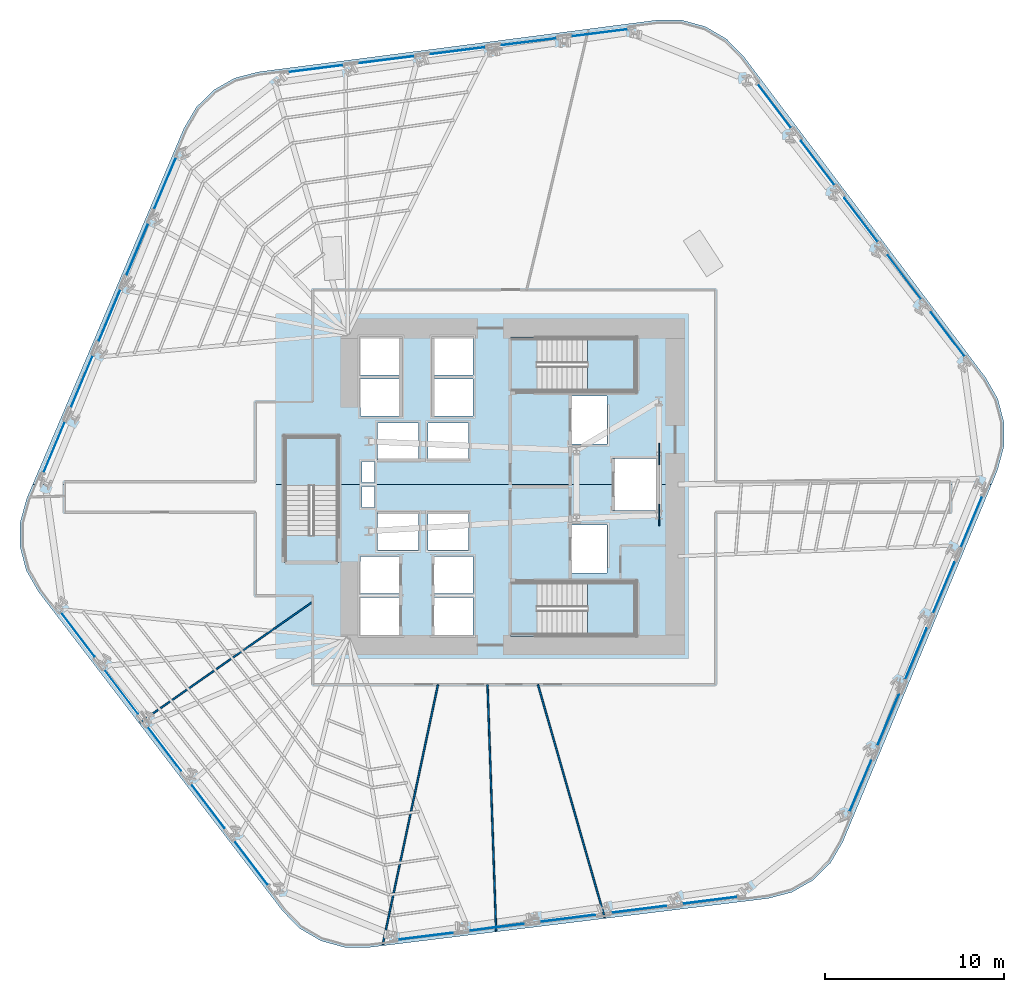
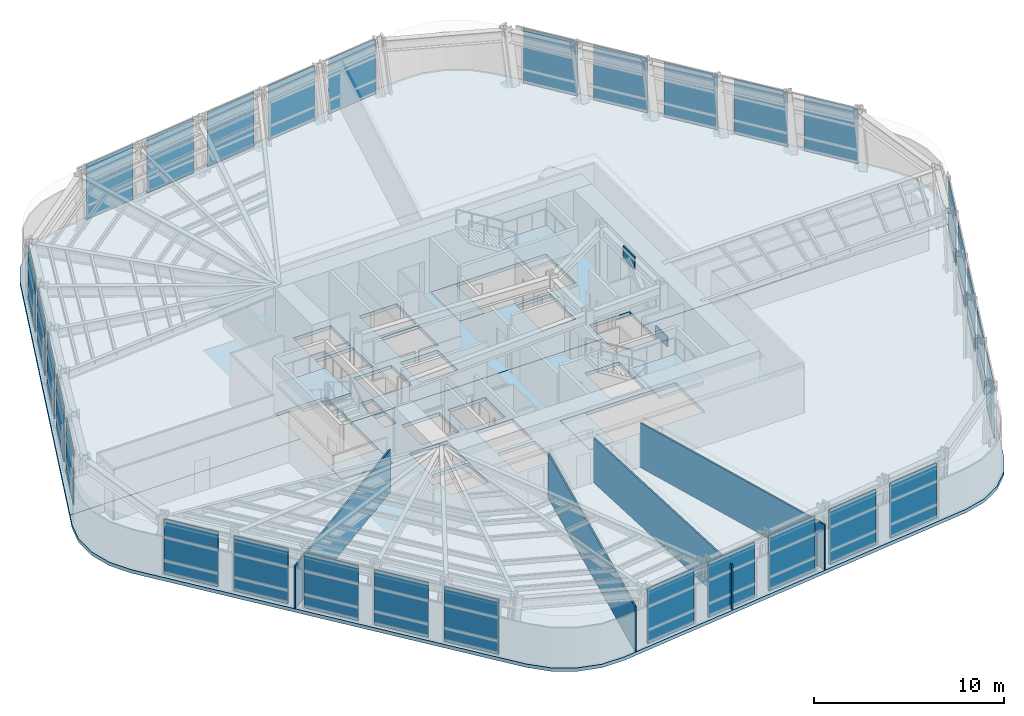
# One storey, part 7 of 16: 32 plates, 8 slabs, 4 walls, 9 elements without a shape of their own.
"""IFC4 building model written with IfcOpenShell, lengths in metres."""

from ifc_helpers import new_model, si_unit, direction, frame, frame_2d, origin, origin_2d, place, context, subcontext, project, spatial, polyline, rectangle, outline, extrude, material, layer, layer_set, type_object, element, aggregate, save


model = new_model("IFC4")

# Units and contexts
model_context = context("Model", 3, precision=1e-05, world=origin(), true_north=direction((0.0, 1.0)))
body_context = subcontext(model_context, "Body", "Model", "MODEL_VIEW")
ifc_project = project(units=[si_unit("LENGTHUNIT", "METRE"), si_unit("AREAUNIT", "SQUARE_METRE"), si_unit("VOLUMEUNIT", "CUBIC_METRE"), si_unit("PLANEANGLEUNIT", "RADIAN"), si_unit("MASSUNIT", "GRAM", prefix="KILO")], contexts=[model_context])

# Site, building, storey
site_placement = place(None, origin())
site = spatial("IfcSite", under=ifc_project, at=site_placement, CompositionType="ELEMENT")
building_placement = place(site_placement, origin())
building = spatial("IfcBuilding", under=site, at=building_placement, Name="Valkerne Bourse Tower", CompositionType="ELEMENT")
storey_placement = place(building_placement, frame((0.0, 0.0, 54.39990234375)))
storey = spatial("IfcBuildingStorey", under=building, at=storey_placement, Name="L13", CompositionType="ELEMENT", Elevation=54.39990234375)

# Curtain wall, plates
ifc_material_1 = material(Name="Aluminium AA 6063-T6", Category="aluminium")
ifc_layer_1 = layer(ifc_material_1, 0.22509765625)
ifc_layer_set_1 = layer_set([ifc_layer_1], Name="Aluminium AA 6063-T6")
curtain_wall_type = type_object("IfcCurtainWallType", Name="CW-01", PredefinedType="NOTDEFINED", material=ifc_layer_set_1)
curtain_wall_1_placement = place(storey_placement, origin())
curtain_wall_1 = element("IfcCurtainWall", 1, at=curtain_wall_1_placement, inside=storey, type_object=curtain_wall_type, Name="L13 Hexagonal Stick Curtain Wall Face 1", PredefinedType="NOTDEFINED")
ifc_material_2 = material(Name="Glass IGU Low-E Double Glazed", Category="glass")
ifc_layer_2 = layer(ifc_material_2, 0.031982421875)
ifc_layer_set_2 = layer_set([ifc_layer_2], Name="Glass IGU Low-E Double Glazed")
plate_type_1 = type_object("IfcPlateType", Name="CW-PNL-IGU-32", PredefinedType="CURTAIN_PANEL", material=ifc_layer_set_2)
plate_1_placement = place(storey_placement, frame((71.045166015625, 35.369384765625, 0.030029296875), z_axis=(0.0, 0.0, 1.0), x_axis=(-0.604606641485, 0.79652420495, 0.0)))
plate_1 = element("IfcPlate", 2, at=plate_1_placement, type_object=plate_type_1, Name="CW-L13-F1 Curtain Panel 00", PredefinedType="CURTAIN_PANEL", context=body_context, shape_type="SweptSolid", body=[
    extrude(rectangle(XDim=3.075927734375, YDim=0.031982421875, at=origin_2d()), origin(), (0.0, 0.0, 1.0), 3.52001953125),
])
plate_2_placement = place(storey_placement, frame((68.629150390625, 38.552490234375, 0.030029296875), z_axis=(0.0, 0.0, 1.0), x_axis=(-0.604578712348, 0.796545403964, 0.0)))
plate_2 = element("IfcPlate", 3, at=plate_2_placement, type_object=plate_type_1, Name="CW-L13-F1 Curtain Panel 01", PredefinedType="CURTAIN_PANEL", context=body_context, shape_type="SweptSolid", body=[
    extrude(rectangle(XDim=3.075927734375, YDim=0.031982421875, at=origin_2d()), origin(), (0.0, 0.0, 1.0), 3.52001953125),
])
plate_3_placement = place(storey_placement, frame((66.21337890625, 41.7353515625, 0.030029296875), z_axis=(0.0, 0.0, 1.0), x_axis=(-0.604606641485, 0.79652420495, 0.0)))
plate_3 = element("IfcPlate", 4, at=plate_3_placement, type_object=plate_type_1, Name="CW-L13-F1 Curtain Panel 02", PredefinedType="CURTAIN_PANEL", context=body_context, shape_type="SweptSolid", body=[
    extrude(rectangle(XDim=3.075927734375, YDim=0.031982421875, at=origin_2d()), origin(), (0.0, 0.0, 1.0), 3.52001953125),
])
plate_4_placement = place(storey_placement, frame((63.79736328125, 44.91845703125, 0.030029296875), z_axis=(0.0, 0.0, 1.0), x_axis=(-0.604594589965, 0.796533352588, 0.0)))
plate_4 = element("IfcPlate", 5, at=plate_4_placement, type_object=plate_type_1, Name="CW-L13-F1 Curtain Panel 03", PredefinedType="CURTAIN_PANEL", context=body_context, shape_type="SweptSolid", body=[
    extrude(rectangle(XDim=3.075927734375, YDim=0.031982421875, at=origin_2d()), origin(), (0.0, 0.0, 1.0), 3.52001953125),
])
plate_5_placement = place(storey_placement, frame((61.381103515625, 48.101318359375, 0.030029296875), z_axis=(0.0, 0.0, 1.0), x_axis=(-0.604606641485, 0.79652420495, 0.0)))
plate_5 = element("IfcPlate", 6, at=plate_5_placement, type_object=plate_type_1, Name="CW-L13-F1 Curtain Panel 04", PredefinedType="CURTAIN_PANEL", context=body_context, shape_type="SweptSolid", body=[
    extrude(rectangle(XDim=3.075927734375, YDim=0.031982421875, at=origin_2d()), origin(), (0.0, 0.0, 1.0), 3.52001953125),
])
aggregate(curtain_wall_1, [plate_1, plate_2, plate_3, plate_4, plate_5])

curtain_wall_2_placement = place(storey_placement, origin())
curtain_wall_2 = element("IfcCurtainWall", 7, at=curtain_wall_2_placement, inside=storey, type_object=curtain_wall_type, Name="L13 Hexagonal Stick Curtain Wall Face 2", PredefinedType="NOTDEFINED")
plate_6_placement = place(storey_placement, frame((51.67431640625, 52.181884765625, 0.030029296875), z_axis=(0.0, 0.0, 1.0), x_axis=(-0.992115722578, -0.125325149169, 0.0)))
plate_6 = element("IfcPlate", 8, at=plate_6_placement, type_object=plate_type_1, Name="CW-L13-F2 Curtain Panel 00", PredefinedType="CURTAIN_PANEL", context=body_context, shape_type="SweptSolid", body=[
    extrude(rectangle(XDim=3.075927734375, YDim=0.031982421875, at=origin_2d()), origin(), (0.0, 0.0, 1.0), 3.52001953125),
])
plate_7_placement = place(storey_placement, frame((47.7099609375, 51.680908203125, 0.030029296875), z_axis=(0.0, 0.0, 1.0), x_axis=(-0.992112610749, -0.125349780988, 0.0)))
plate_7 = element("IfcPlate", 9, at=plate_7_placement, type_object=plate_type_1, Name="CW-L13-F2 Curtain Panel 01", PredefinedType="CURTAIN_PANEL", context=body_context, shape_type="SweptSolid", body=[
    extrude(rectangle(XDim=3.075927734375, YDim=0.031982421875, at=origin_2d()), origin(), (0.0, 0.0, 1.0), 3.52001953125),
])
plate_8_placement = place(storey_placement, frame((43.745361328125, 51.18017578125, 0.030029296875), z_axis=(0.0, 0.0, 1.0), x_axis=(-0.992115722578, -0.125325149169, 0.0)))
plate_8 = element("IfcPlate", 10, at=plate_8_placement, type_object=plate_type_1, Name="CW-L13-F2 Curtain Panel 02", PredefinedType="CURTAIN_PANEL", context=body_context, shape_type="SweptSolid", body=[
    extrude(rectangle(XDim=3.075927734375, YDim=0.031982421875, at=origin_2d()), origin(), (0.0, 0.0, 1.0), 3.52001953125),
])
plate_9_placement = place(storey_placement, frame((39.781005859375, 50.67919921875, 0.030029296875), z_axis=(0.0, 0.0, 1.0), x_axis=(-0.992115722578, -0.125325149169, 0.0)))
plate_9 = element("IfcPlate", 11, at=plate_9_placement, type_object=plate_type_1, Name="CW-L13-F2 Curtain Panel 03", PredefinedType="CURTAIN_PANEL", context=body_context, shape_type="SweptSolid", body=[
    extrude(rectangle(XDim=3.075927734375, YDim=0.031982421875, at=origin_2d()), origin(), (0.0, 0.0, 1.0), 3.52001953125),
])
plate_10_placement = place(storey_placement, frame((35.81640625, 50.178466796875, 0.030029296875), z_axis=(0.0, 0.0, 1.0), x_axis=(-0.992112610749, -0.125349780988, 0.0)))
plate_10 = element("IfcPlate", 12, at=plate_10_placement, type_object=plate_type_1, Name="CW-L13-F2 Curtain Panel 04", PredefinedType="CURTAIN_PANEL", context=body_context, shape_type="SweptSolid", body=[
    extrude(rectangle(XDim=3.075927734375, YDim=0.031982421875, at=origin_2d()), origin(), (0.0, 0.0, 1.0), 3.52001953125),
])
aggregate(curtain_wall_2, [plate_6, plate_7, plate_8, plate_9, plate_10])

curtain_wall_3_placement = place(storey_placement, origin())
curtain_wall_3 = element("IfcCurtainWall", 13, at=curtain_wall_3_placement, inside=storey, type_object=curtain_wall_type, Name="L13 Hexagonal Stick Curtain Wall Face 3", PredefinedType="NOTDEFINED")
plate_11_placement = place(storey_placement, frame((27.42919921875, 43.812255859375, 0.030029296875), z_axis=(0.0, 0.0, 1.0), x_axis=(-0.387509858952, -0.921865559187, 0.0)))
plate_11 = element("IfcPlate", 14, at=plate_11_placement, type_object=plate_type_1, Name="CW-L13-F3 Curtain Panel 00", PredefinedType="CURTAIN_PANEL", context=body_context, shape_type="SweptSolid", body=[
    extrude(rectangle(XDim=3.076171875, YDim=0.031982421875, at=origin_2d()), origin(), (0.0, 0.0, 1.0), 3.52001953125),
])
plate_12_placement = place(storey_placement, frame((25.880615234375, 40.12841796875, 0.030029296875), z_axis=(0.0, 0.0, 1.0), x_axis=(-0.387509858952, -0.921865559187, 0.0)))
plate_12 = element("IfcPlate", 15, at=plate_12_placement, type_object=plate_type_1, Name="CW-L13-F3 Curtain Panel 01", PredefinedType="CURTAIN_PANEL", context=body_context, shape_type="SweptSolid", body=[
    extrude(rectangle(XDim=3.076171875, YDim=0.031982421875, at=origin_2d()), origin(), (0.0, 0.0, 1.0), 3.52001953125),
])
plate_13_placement = place(storey_placement, frame((24.33203125, 36.444580078125, 0.030029296875), z_axis=(0.0, 0.0, 1.0), x_axis=(-0.387540065854, -0.921852861013, 0.0)))
plate_13 = element("IfcPlate", 16, at=plate_13_placement, type_object=plate_type_1, Name="CW-L13-F3 Curtain Panel 02", PredefinedType="CURTAIN_PANEL", context=body_context, shape_type="SweptSolid", body=[
    extrude(rectangle(XDim=3.075927734375, YDim=0.031982421875, at=origin_2d()), origin(), (0.0, 0.0, 1.0), 3.52001953125),
])
plate_14_placement = place(storey_placement, frame((22.78369140625, 32.760986328125, 0.030029296875), z_axis=(0.0, 0.0, 1.0), x_axis=(-0.387509858952, -0.921865559187, 0.0)))
plate_14 = element("IfcPlate", 17, at=plate_14_placement, type_object=plate_type_1, Name="CW-L13-F3 Curtain Panel 03", PredefinedType="CURTAIN_PANEL", context=body_context, shape_type="SweptSolid", body=[
    extrude(rectangle(XDim=3.076171875, YDim=0.031982421875, at=origin_2d()), origin(), (0.0, 0.0, 1.0), 3.52001953125),
])
plate_15_placement = place(storey_placement, frame((21.235107421875, 29.076904296875, 0.030029296875), z_axis=(0.0, 0.0, 1.0), x_axis=(-0.387509858952, -0.921865559187, 0.0)))
plate_15 = element("IfcPlate", 18, at=plate_15_placement, type_object=plate_type_1, Name="CW-L13-F3 Curtain Panel 04", PredefinedType="CURTAIN_PANEL", context=body_context, shape_type="SweptSolid", body=[
    extrude(rectangle(XDim=3.076171875, YDim=0.031982421875, at=origin_2d()), origin(), (0.0, 0.0, 1.0), 3.52001953125),
])
aggregate(curtain_wall_3, [plate_11, plate_12, plate_13, plate_14, plate_15])

curtain_wall_4_placement = place(storey_placement, origin())
curtain_wall_4 = element("IfcCurtainWall", 19, at=curtain_wall_4_placement, inside=storey, type_object=curtain_wall_type, Name="L13 Hexagonal Stick Curtain Wall Face 4", PredefinedType="NOTDEFINED")
plate_16_placement = place(storey_placement, frame((22.554931640625, 18.630615234375, 0.030029296875), z_axis=(0.0, 0.0, 1.0), x_axis=(0.604606641485, -0.79652420495, 0.0)))
plate_16 = element("IfcPlate", 20, at=plate_16_placement, type_object=plate_type_1, Name="CW-L13-F4 Curtain Panel 00", PredefinedType="CURTAIN_PANEL", context=body_context, shape_type="SweptSolid", body=[
    extrude(rectangle(XDim=3.075927734375, YDim=0.031982421875, at=origin_2d()), origin(), (0.0, 0.0, 1.0), 3.52001953125),
])
plate_17_placement = place(storey_placement, frame((24.970703125, 15.447509765625, 0.030029296875), z_axis=(0.0, 0.0, 1.0), x_axis=(0.604578712348, -0.796545403964, 0.0)))
plate_17 = element("IfcPlate", 21, at=plate_17_placement, type_object=plate_type_1, Name="CW-L13-F4 Curtain Panel 01", PredefinedType="CURTAIN_PANEL", context=body_context, shape_type="SweptSolid", body=[
    extrude(rectangle(XDim=3.075927734375, YDim=0.031982421875, at=origin_2d()), origin(), (0.0, 0.0, 1.0), 3.52001953125),
])
plate_18_placement = place(storey_placement, frame((27.38671875, 12.2646484375, 0.030029296875), z_axis=(0.0, 0.0, 1.0), x_axis=(0.604606641485, -0.79652420495, 0.0)))
plate_18 = element("IfcPlate", 22, at=plate_18_placement, type_object=plate_type_1, Name="CW-L13-F4 Curtain Panel 02", PredefinedType="CURTAIN_PANEL", context=body_context, shape_type="SweptSolid", body=[
    extrude(rectangle(XDim=3.075927734375, YDim=0.031982421875, at=origin_2d()), origin(), (0.0, 0.0, 1.0), 3.52001953125),
])
plate_19_placement = place(storey_placement, frame((29.802734375, 9.08154296875, 0.030029296875), z_axis=(0.0, 0.0, 1.0), x_axis=(0.604594589965, -0.796533352588, 0.0)))
plate_19 = element("IfcPlate", 23, at=plate_19_placement, type_object=plate_type_1, Name="CW-L13-F4 Curtain Panel 03", PredefinedType="CURTAIN_PANEL", context=body_context, shape_type="SweptSolid", body=[
    extrude(rectangle(XDim=3.075927734375, YDim=0.031982421875, at=origin_2d()), origin(), (0.0, 0.0, 1.0), 3.52001953125),
])
plate_20_placement = place(storey_placement, frame((32.21875, 5.898681640625, 0.030029296875), z_axis=(0.0, 0.0, 1.0), x_axis=(0.604606641485, -0.79652420495, 0.0)))
plate_20 = element("IfcPlate", 24, at=plate_20_placement, type_object=plate_type_1, Name="CW-L13-F4 Curtain Panel 04", PredefinedType="CURTAIN_PANEL", context=body_context, shape_type="SweptSolid", body=[
    extrude(rectangle(XDim=3.075927734375, YDim=0.031982421875, at=origin_2d()), origin(), (0.0, 0.0, 1.0), 3.52001953125),
])
aggregate(curtain_wall_4, [plate_16, plate_17, plate_18, plate_19, plate_20])

curtain_wall_5_placement = place(storey_placement, origin())
curtain_wall_5 = element("IfcCurtainWall", 25, at=curtain_wall_5_placement, inside=storey, type_object=curtain_wall_type, Name="L13 Hexagonal Stick Curtain Wall Face 5", PredefinedType="NOTDEFINED")
plate_21_placement = place(storey_placement, frame((41.92578125, 1.818115234375, 0.030029296875), z_axis=(0.0, 0.0, 1.0), x_axis=(0.992115722578, 0.125325149169, 0.0)))
plate_21 = element("IfcPlate", 26, at=plate_21_placement, type_object=plate_type_1, Name="CW-L13-F5 Curtain Panel 00", PredefinedType="CURTAIN_PANEL", context=body_context, shape_type="SweptSolid", body=[
    extrude(rectangle(XDim=3.075927734375, YDim=0.031982421875, at=origin_2d()), origin(), (0.0, 0.0, 1.0), 3.52001953125),
])
plate_22_placement = place(storey_placement, frame((45.89013671875, 2.319091796875, 0.030029296875), z_axis=(0.0, 0.0, 1.0), x_axis=(0.992112610749, 0.125349780988, 0.0)))
plate_22 = element("IfcPlate", 27, at=plate_22_placement, type_object=plate_type_1, Name="CW-L13-F5 Curtain Panel 01", PredefinedType="CURTAIN_PANEL", context=body_context, shape_type="SweptSolid", body=[
    extrude(rectangle(XDim=3.075927734375, YDim=0.031982421875, at=origin_2d()), origin(), (0.0, 0.0, 1.0), 3.52001953125),
])
plate_23_placement = place(storey_placement, frame((49.8544921875, 2.81982421875, 0.030029296875), z_axis=(0.0, 0.0, 1.0), x_axis=(0.992115722578, 0.125325149169, 0.0)))
plate_23 = element("IfcPlate", 28, at=plate_23_placement, type_object=plate_type_1, Name="CW-L13-F5 Curtain Panel 02", PredefinedType="CURTAIN_PANEL", context=body_context, shape_type="SweptSolid", body=[
    extrude(rectangle(XDim=3.075927734375, YDim=0.031982421875, at=origin_2d()), origin(), (0.0, 0.0, 1.0), 3.52001953125),
])
plate_24_placement = place(storey_placement, frame((53.819091796875, 3.32080078125, 0.030029296875), z_axis=(0.0, 0.0, 1.0), x_axis=(0.992115722578, 0.125325149169, 0.0)))
plate_24 = element("IfcPlate", 29, at=plate_24_placement, type_object=plate_type_1, Name="CW-L13-F5 Curtain Panel 03", PredefinedType="CURTAIN_PANEL", context=body_context, shape_type="SweptSolid", body=[
    extrude(rectangle(XDim=3.075927734375, YDim=0.031982421875, at=origin_2d()), origin(), (0.0, 0.0, 1.0), 3.52001953125),
])
plate_25_placement = place(storey_placement, frame((57.78369140625, 3.821533203125, 0.030029296875), z_axis=(0.0, 0.0, 1.0), x_axis=(0.992112610749, 0.125349780988, 0.0)))
plate_25 = element("IfcPlate", 30, at=plate_25_placement, type_object=plate_type_1, Name="CW-L13-F5 Curtain Panel 04", PredefinedType="CURTAIN_PANEL", context=body_context, shape_type="SweptSolid", body=[
    extrude(rectangle(XDim=3.075927734375, YDim=0.031982421875, at=origin_2d()), origin(), (0.0, 0.0, 1.0), 3.52001953125),
])
aggregate(curtain_wall_5, [plate_21, plate_22, plate_23, plate_24, plate_25])

curtain_wall_6_placement = place(storey_placement, origin())
curtain_wall_6 = element("IfcCurtainWall", 31, at=curtain_wall_6_placement, inside=storey, type_object=curtain_wall_type, Name="L13 Hexagonal Stick Curtain Wall Face 6", PredefinedType="NOTDEFINED")
plate_26_placement = place(storey_placement, frame((66.1708984375, 10.18798828125, 0.030029296875), z_axis=(0.0, 0.0, 1.0), x_axis=(0.387509858952, 0.921865559187, 0.0)))
plate_26 = element("IfcPlate", 32, at=plate_26_placement, type_object=plate_type_1, Name="CW-L13-F6 Curtain Panel 00", PredefinedType="CURTAIN_PANEL", context=body_context, shape_type="SweptSolid", body=[
    extrude(rectangle(XDim=3.076171875, YDim=0.031982421875, at=origin_2d()), origin(), (0.0, 0.0, 1.0), 3.52001953125),
])
plate_27_placement = place(storey_placement, frame((67.71923828125, 13.87158203125, 0.030029296875), z_axis=(0.0, 0.0, 1.0), x_axis=(0.387509858952, 0.921865559187, 0.0)))
plate_27 = element("IfcPlate", 33, at=plate_27_placement, type_object=plate_type_1, Name="CW-L13-F6 Curtain Panel 01", PredefinedType="CURTAIN_PANEL", context=body_context, shape_type="SweptSolid", body=[
    extrude(rectangle(XDim=3.076171875, YDim=0.031982421875, at=origin_2d()), origin(), (0.0, 0.0, 1.0), 3.52001953125),
])
plate_28_placement = place(storey_placement, frame((69.267822265625, 17.555419921875, 0.030029296875), z_axis=(0.0, 0.0, 1.0), x_axis=(0.387540065854, 0.921852861013, 0.0)))
plate_28 = element("IfcPlate", 34, at=plate_28_placement, type_object=plate_type_1, Name="CW-L13-F6 Curtain Panel 02", PredefinedType="CURTAIN_PANEL", context=body_context, shape_type="SweptSolid", body=[
    extrude(rectangle(XDim=3.075927734375, YDim=0.031982421875, at=origin_2d()), origin(), (0.0, 0.0, 1.0), 3.52001953125),
])
plate_29_placement = place(storey_placement, frame((70.81640625, 21.2392578125, 0.030029296875), z_axis=(0.0, 0.0, 1.0), x_axis=(0.387509858952, 0.921865559187, 0.0)))
plate_29 = element("IfcPlate", 35, at=plate_29_placement, type_object=plate_type_1, Name="CW-L13-F6 Curtain Panel 03", PredefinedType="CURTAIN_PANEL", context=body_context, shape_type="SweptSolid", body=[
    extrude(rectangle(XDim=3.076171875, YDim=0.031982421875, at=origin_2d()), origin(), (0.0, 0.0, 1.0), 3.52001953125),
])
plate_30_placement = place(storey_placement, frame((72.364990234375, 24.923095703125, 0.030029296875), z_axis=(0.0, 0.0, 1.0), x_axis=(0.387509858952, 0.921865559187, 0.0)))
plate_30 = element("IfcPlate", 36, at=plate_30_placement, type_object=plate_type_1, Name="CW-L13-F6 Curtain Panel 04", PredefinedType="CURTAIN_PANEL", context=body_context, shape_type="SweptSolid", body=[
    extrude(rectangle(XDim=3.076171875, YDim=0.031982421875, at=origin_2d()), origin(), (0.0, 0.0, 1.0), 3.52001953125),
])
aggregate(curtain_wall_6, [plate_26, plate_27, plate_28, plate_29, plate_30])

# Plates
ifc_material_3 = material(Name="Steel ASTM A572 Grade 50", Category="steel")
ifc_layer_3 = layer(ifc_material_3, 0.06005859375)
ifc_layer_set_3 = layer_set([ifc_layer_3], Name="Steel ASTM A572 Grade 50")
plate_type_2 = type_object("IfcPlateType", Name="PLT-GUS-60", PredefinedType="SHEET", material=ifc_layer_set_3)
for number, where, z_axis, x_axis, name in (
    (37, (54.949951171875, 25.300048828125, -0.1796875), (0.0, 0.0, 1.0), (0.0, 1.0, 0.0), "L13 Brace Node Gusset Plate PLT-GUS-END-L13-342"),
    (38, (54.949951171875, 28.699951171875, 2.8740234375), (0.0, 0.0, 1.0), (0.0, 1.0, 0.0), "L13 Brace Node Gusset Plate PLT-GUS-END-L13-343"),
):
    element("IfcPlate", number, at=place(storey_placement, frame(where, z_axis=z_axis, x_axis=x_axis)), inside=storey, type_object=plate_type_2, Name=name, PredefinedType="SHEET", context=body_context, shape_type="SweptSolid", body=[
        extrude(rectangle(XDim=1.199951171875, YDim=0.06005859375, at=origin_2d()), origin(), (0.0, 0.0, 1.0), 0.800048828125),
    ])

# Slabs
ifc_material_4 = material(Name="Concrete C40/50", Category="concrete")
ifc_layer_4 = layer(ifc_material_4, 0.25)
ifc_layer_set_4 = layer_set([ifc_layer_4], Name="Concrete C40/50")
slab_type_1 = type_object("IfcSlabType", Name="SLB-RMP-LND-250", PredefinedType="LANDING", material=ifc_layer_set_4)
slab_1_placement = place(storey_placement, frame((0.0, 0.0, -0.219970703125)))
element("IfcSlab", 39, at=slab_1_placement, inside=storey, type_object=slab_type_1, Name="L13 ST-1 Floor Landing Slab", PredefinedType="LANDING", context=body_context, shape_type="SweptSolid", body=[
    extrude(outline(polyline([(46.669921875, 18.5400390625), (48.14990234375, 18.5400390625), (48.14990234375, 21.610107421875), (46.669921875, 21.610107421875), (46.669921875, 18.5400390625)])), origin(), (0.0, 0.0, 1.0), 0.219970703125),
])
slab_2_placement = place(storey_placement, frame((0.0, 0.0, -0.219970703125)))
element("IfcSlab", 40, at=slab_2_placement, inside=storey, type_object=slab_type_1, Name="L13 ST-2 Floor Landing Slab", PredefinedType="LANDING", context=body_context, shape_type="SweptSolid", body=[
    extrude(outline(polyline([(46.669921875, 32.139892578125), (48.14990234375, 32.139892578125), (48.14990234375, 35.2099609375), (46.669921875, 35.2099609375), (46.669921875, 32.139892578125)])), origin(), (0.0, 0.0, 1.0), 0.219970703125),
])
slab_3_placement = place(storey_placement, frame((0.0, 0.0, -0.219970703125)))
element("IfcSlab", 41, at=slab_3_placement, inside=storey, type_object=slab_type_1, Name="L13 ST-3 Floor Landing Slab", PredefinedType="LANDING", context=body_context, shape_type="SweptSolid", body=[
    extrude(outline(polyline([(37.110107421875, 22.669921875), (37.110107421875, 24.14990234375), (34.0400390625, 24.14990234375), (34.0400390625, 22.669921875), (37.110107421875, 22.669921875)])), origin(), (0.0, 0.0, 1.0), 0.219970703125),
])

# Stair, slab
stair_type = type_object("IfcStairType", Name="ST-CORE-1400", PredefinedType="HALF_TURN_STAIR", material=ifc_material_4)
stair_1_placement = place(storey_placement, origin())
stair_1 = element("IfcStair", 42, at=stair_1_placement, inside=storey, type_object=stair_type, Name="L13 ST-1", PredefinedType="HALF_TURN_STAIR")
ifc_layer_5 = layer(ifc_material_4, 0.179931640625)
ifc_layer_set_5 = layer_set([ifc_layer_5], Name="Concrete C40/50")
slab_type_2 = type_object("IfcSlabType", Name="SLB-ST-LND-180", PredefinedType="LANDING", material=ifc_layer_set_5)
slab_4_placement = place(storey_placement, frame((0.0, 0.0, 1.7001953125)))
slab_4 = element("IfcSlab", 43, at=slab_4_placement, type_object=slab_type_2, Name="ST-1 landing 1", PredefinedType="LANDING", context=body_context, shape_type="SweptSolid", body=[
    extrude(outline(polyline([(50.949951171875, 18.60009765625), (53.64990234375, 18.60009765625), (53.64990234375, 21.550048828125), (50.949951171875, 21.550048828125), (50.949951171875, 18.60009765625)])), origin(), (0.0, 0.0, 1.0), 0.199951171875),
])
aggregate(stair_1, [slab_4])

stair_2_placement = place(storey_placement, origin())
stair_2 = element("IfcStair", 44, at=stair_2_placement, inside=storey, type_object=stair_type, Name="L13 ST-2", PredefinedType="HALF_TURN_STAIR")
slab_5_placement = place(storey_placement, frame((0.0, 0.0, 1.7001953125)))
slab_5 = element("IfcSlab", 45, at=slab_5_placement, type_object=slab_type_2, Name="ST-2 landing 1", PredefinedType="LANDING", context=body_context, shape_type="SweptSolid", body=[
    extrude(outline(polyline([(50.949951171875, 32.199951171875), (53.64990234375, 32.199951171875), (53.64990234375, 35.14990234375), (50.949951171875, 35.14990234375), (50.949951171875, 32.199951171875)])), origin(), (0.0, 0.0, 1.0), 0.199951171875),
])
aggregate(stair_2, [slab_5])

stair_3_placement = place(storey_placement, origin())
stair_3 = element("IfcStair", 46, at=stair_3_placement, inside=storey, type_object=stair_type, Name="L13 ST-3", PredefinedType="HALF_TURN_STAIR")
slab_6_placement = place(storey_placement, frame((0.0, 0.0, 1.7001953125)))
slab_6 = element("IfcSlab", 47, at=slab_6_placement, type_object=slab_type_2, Name="ST-3 landing 1", PredefinedType="LANDING", context=body_context, shape_type="SweptSolid", body=[
    extrude(outline(polyline([(37.050048828125, 26.949951171875), (37.050048828125, 29.64990234375), (34.10009765625, 29.64990234375), (34.10009765625, 26.949951171875), (37.050048828125, 26.949951171875)])), origin(), (0.0, 0.0, 1.0), 0.199951171875),
])
aggregate(stair_3, [slab_6])

# Slabs
ifc_layer_6 = layer(ifc_material_4, 0.219970703125)
ifc_layer_set_6 = layer_set([ifc_layer_6], Name="Concrete C40/50")
slab_type_3 = type_object("IfcSlabType", Name="SLB-TOW-220", PredefinedType="FLOOR", material=ifc_layer_set_6)
slab_7_placement = place(storey_placement, frame((0.0, 0.0, -0.219970703125)))
element("IfcSlab", 48, at=slab_7_placement, inside=storey, type_object=slab_type_3, Name="L13 Hexagonal Composite Floor Slab S", PredefinedType="FLOOR", context=body_context, shape_type="SweptSolid", body=[
    extrude(outline(polyline([(64.505615234375, 5.89990234375), (63.540771484375, 4.945068359375), (62.361572265625, 4.2724609375), (61.048583984375, 3.927978515625), (38.773193359375, 1.1953125), (37.415771484375, 1.202392578125), (36.106201171875, 1.560791015625), (34.934326171875, 2.24560546875), (33.9794921875, 3.21044921875), (20.346435546875, 21.03759765625), (19.673828125, 22.216552734375), (19.32958984375, 23.52978515625), (19.336669921875, 24.88720703125), (19.69482421875, 26.196533203125), (20.035888671875, 27.0), (34.034912109375, 27.0), (34.034912109375, 22.6650390625), (37.114990234375, 22.6650390625), (37.114990234375, 27.0), (52.360107421875, 27.0), (52.360107421875, 25.56005859375), (54.840087890625, 25.56005859375), (54.840087890625, 27.0), (73.483154296875, 27.0), (65.1904296875, 7.072021484375), (64.505615234375, 5.89990234375)]), holes=[polyline([(40.590087890625, 20.68994140625), (38.31005859375, 20.68994140625), (38.31005859375, 18.610107421875), (40.590087890625, 18.610107421875), (40.590087890625, 20.68994140625)]), polyline([(40.590087890625, 22.989990234375), (38.31005859375, 22.989990234375), (38.31005859375, 20.909912109375), (40.590087890625, 20.909912109375), (40.590087890625, 22.989990234375)]), polyline([(41.5400390625, 25.43994140625), (39.260009765625, 25.43994140625), (39.260009765625, 23.360107421875), (41.5400390625, 23.360107421875), (41.5400390625, 25.43994140625)]), polyline([(39.10009765625, 25.72998046875), (39.10009765625, 26.89990234375), (38.3798828125, 26.89990234375), (38.3798828125, 25.72998046875), (39.10009765625, 25.72998046875)]), polyline([(44.590087890625, 20.68994140625), (42.31005859375, 20.68994140625), (42.31005859375, 18.610107421875), (44.590087890625, 18.610107421875), (44.590087890625, 20.68994140625)]), polyline([(53.675048828125, 21.614990234375), (46.6650390625, 21.614990234375), (46.6650390625, 18.534912109375), (53.675048828125, 18.534912109375), (53.675048828125, 21.614990234375)]), polyline([(44.590087890625, 22.989990234375), (42.31005859375, 22.989990234375), (42.31005859375, 20.909912109375), (44.590087890625, 20.909912109375), (44.590087890625, 22.989990234375)]), polyline([(52.0400390625, 22.06005859375), (52.0400390625, 24.739990234375), (49.9599609375, 24.739990234375), (49.9599609375, 22.06005859375), (52.0400390625, 22.06005859375)]), polyline([(44.340087890625, 23.360107421875), (44.340087890625, 25.43994140625), (42.06005859375, 25.43994140625), (42.06005859375, 23.360107421875), (44.340087890625, 23.360107421875)])]), origin(), (0.0, 0.0, 1.0), 0.219970703125),
])
slab_8_placement = place(storey_placement, frame((0.0, 0.0, -0.219970703125)))
element("IfcSlab", 49, at=slab_8_placement, inside=storey, type_object=slab_type_3, Name="L13 Hexagonal Composite Floor Slab N", PredefinedType="FLOOR", context=body_context, shape_type="SweptSolid", body=[
    extrude(outline(polyline([(28.466064453125, 46.853759765625), (29.15087890625, 48.02587890625), (30.11572265625, 48.980712890625), (31.294921875, 49.6533203125), (32.60791015625, 49.997802734375), (54.863037109375, 52.890625), (56.220458984375, 52.883544921875), (57.52978515625, 52.525390625), (58.701904296875, 51.840576171875), (59.65673828125, 50.87548828125), (73.160888671875, 32.95068359375), (73.83349609375, 31.771728515625), (74.177978515625, 30.45849609375), (74.1708984375, 29.101318359375), (73.8125, 27.791748046875), (73.483154296875, 27.0), (54.840087890625, 27.0), (54.840087890625, 28.43994140625), (52.360107421875, 28.43994140625), (52.360107421875, 27.0), (37.114990234375, 27.0), (37.114990234375, 29.675048828125), (34.034912109375, 29.675048828125), (34.034912109375, 27.0), (20.035888671875, 27.0), (28.466064453125, 46.853759765625)]), holes=[polyline([(39.10009765625, 28.27001953125), (38.3798828125, 28.27001953125), (38.3798828125, 27.10009765625), (39.10009765625, 27.10009765625), (39.10009765625, 28.27001953125)]), polyline([(41.5400390625, 30.43994140625), (39.260009765625, 30.43994140625), (39.260009765625, 28.360107421875), (41.5400390625, 28.360107421875), (41.5400390625, 30.43994140625)]), polyline([(44.340087890625, 30.43994140625), (42.06005859375, 30.43994140625), (42.06005859375, 28.360107421875), (44.340087890625, 28.360107421875), (44.340087890625, 30.43994140625)]), polyline([(40.590087890625, 30.81005859375), (40.590087890625, 32.889892578125), (38.31005859375, 32.889892578125), (38.31005859375, 30.81005859375), (40.590087890625, 30.81005859375)]), polyline([(40.590087890625, 33.110107421875), (40.590087890625, 35.18994140625), (38.31005859375, 35.18994140625), (38.31005859375, 33.110107421875), (40.590087890625, 33.110107421875)]), polyline([(52.0400390625, 31.93994140625), (49.9599609375, 31.93994140625), (49.9599609375, 29.260009765625), (52.0400390625, 29.260009765625), (52.0400390625, 31.93994140625)]), polyline([(44.590087890625, 32.889892578125), (42.31005859375, 32.889892578125), (42.31005859375, 30.81005859375), (44.590087890625, 30.81005859375), (44.590087890625, 32.889892578125)]), polyline([(53.675048828125, 32.135009765625), (53.675048828125, 35.215087890625), (46.6650390625, 35.215087890625), (46.6650390625, 32.135009765625), (53.675048828125, 32.135009765625)]), polyline([(44.590087890625, 33.110107421875), (44.590087890625, 35.18994140625), (42.31005859375, 35.18994140625), (42.31005859375, 33.110107421875), (44.590087890625, 33.110107421875)])]), origin(), (0.0, 0.0, 1.0), 0.219970703125),
])

# Walls
ifc_material_5 = material(Name="Gypsum Board Steel-Stud Partition", Category="steel")
ifc_layer_7 = layer(ifc_material_5, 0.092041015625)
ifc_layer_set_7 = layer_set([ifc_layer_7], Name="Gypsum Board Steel-Stud Partition")
wall_type = type_object("IfcWallType", Name="W-PART-115", PredefinedType="PARTITIONING", material=ifc_layer_set_7)
wall_1_placement = place(storey_placement, frame((42.62890625, 15.844970703125, 0.0), z_axis=(0.0, 0.0, 1.0), x_axis=(-0.207912984053, -0.978147325847, 0.0)))
element("IfcWall", 50, at=wall_1_placement, inside=storey, type_object=wall_type, Name="L13 Suite Partition P01", PredefinedType="PARTITIONING", context=body_context, shape_type="SweptSolid", body=[
    extrude(rectangle(XDim=14.80712890625, YDim=0.092041015625, at=frame_2d((7.403564453125, 0.0))), origin(), (0.0, 0.0, 1.0), 2.864013671875),
])
wall_2_placement = place(storey_placement, frame((45.389404296875, 15.844970703125, 0.0), z_axis=(0.0, 0.0, 1.0), x_axis=(0.034920186366, -0.999390104306, 0.0)))
element("IfcWall", 51, at=wall_2_placement, inside=storey, type_object=wall_type, Name="L13 Suite Partition P02", PredefinedType="PARTITIONING", context=body_context, shape_type="SweptSolid", body=[
    extrude(rectangle(XDim=13.717041015625, YDim=0.092041015625, at=frame_2d((6.8583984375, 0.0))), origin(), (0.0, 0.0, 1.0), 2.864013671875),
])
wall_3_placement = place(storey_placement, frame((48.198486328125, 15.844970703125, 0.0), z_axis=(0.0, 0.0, 1.0), x_axis=(0.275648490891, -0.961258502937, 0.0)))
element("IfcWall", 52, at=wall_3_placement, inside=storey, type_object=wall_type, Name="L13 Suite Partition P03", PredefinedType="PARTITIONING", context=body_context, shape_type="SweptSolid", body=[
    extrude(rectangle(XDim=13.4892578125, YDim=0.092041015625, at=frame_2d((6.74462890625, 0.0))), origin(), (0.0, 0.0, 1.0), 2.864013671875),
])
wall_4_placement = place(storey_placement, frame((35.64501953125, 20.4609375, 0.0), z_axis=(0.0, 0.0, 1.0), x_axis=(-0.819623399906, -0.572902681374, 0.0)))
element("IfcWall", 53, at=wall_4_placement, inside=storey, type_object=wall_type, Name="L13 Suite Partition P06", PredefinedType="PARTITIONING", context=body_context, shape_type="SweptSolid", body=[
    extrude(rectangle(XDim=11.742919921875, YDim=0.092041015625, at=frame_2d((5.87158203125, 0.0))), origin(), (0.0, 0.0, 1.0), 2.71142578125),
])

save(model, "model.ifc")
